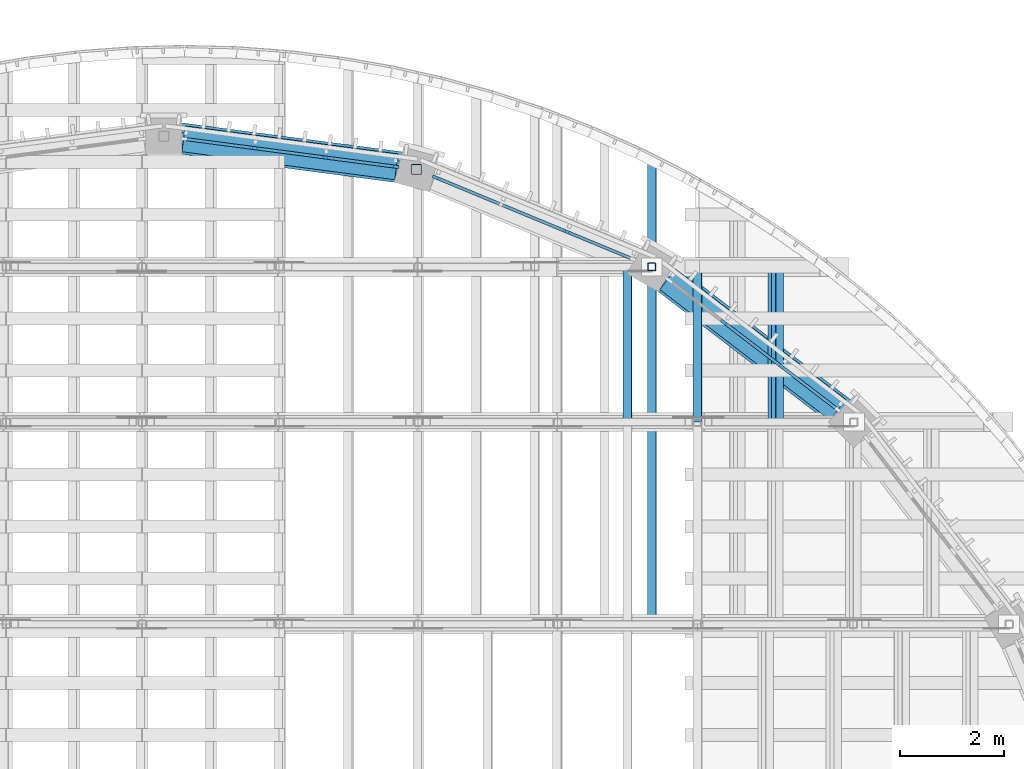
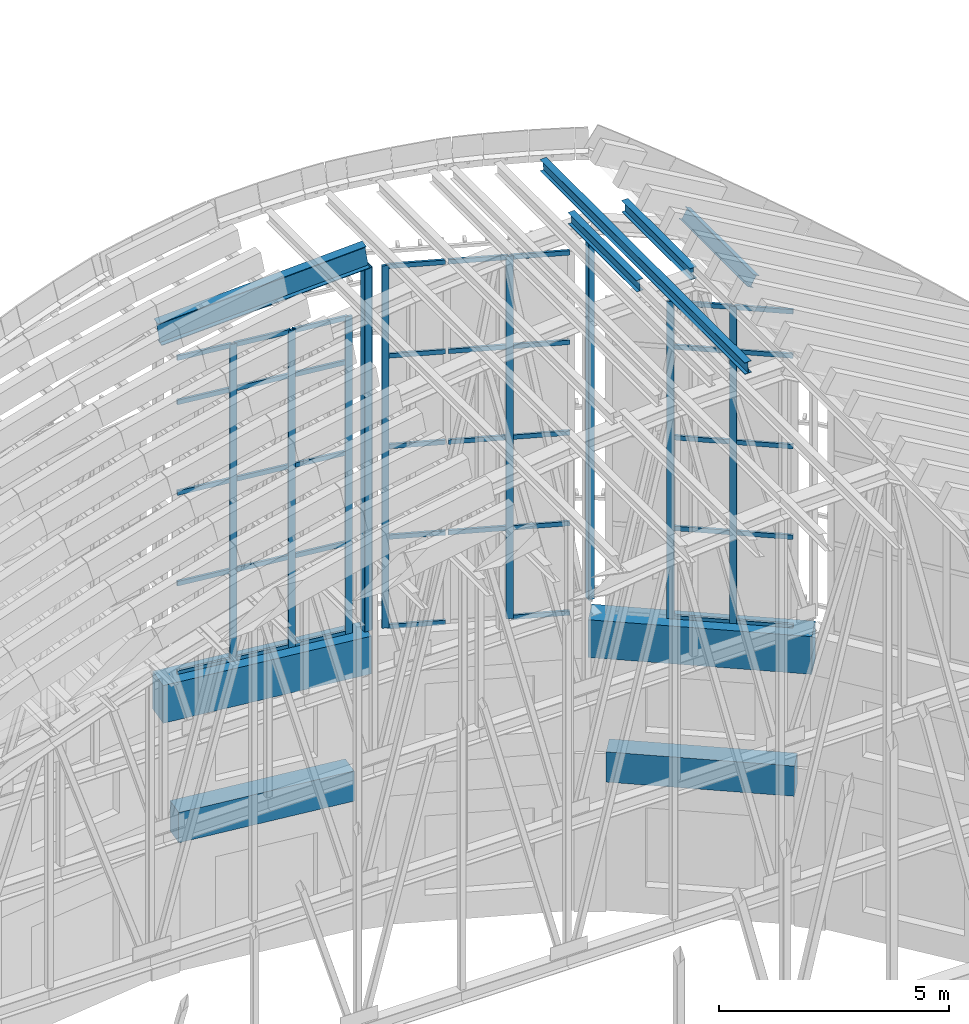
# One storey, part 34 of 105: 52 members, 5 beams, 3 elements without a shape of their own.
"""IFC4 building model written with IfcOpenShell, lengths in metres."""

import ifcopenshell
import ifcopenshell.guid

model = None  # the IFC model being written
_history = None  # IfcOwnerHistory: only IFC2X3 demands one
_inside = {}  # id of a spatial element -> (the spatial element, [elements in it])
_under = {}  # id of a project, library or spatial element -> (it, [spatial elements below it])
_declared = {}  # id of a project -> (the project, [libraries it declares])
_typed = {}  # id of a type object -> (the type object, [elements of that type])
_made_of = {}  # id of a material, layer set ... -> (it, [elements and type objects made of it])


def new_model(schema):
    """Start an empty IFC model of exactly this schema.

    Asked for "IFC4X3", IfcOpenShell would pick the latest addendum, in which some entities
    have other attributes; the version numbers below select the first issue.
    IFC2X3 requires an IfcOwnerHistory on every rooted entity: one is made here for all.
    """
    global model, _history
    if schema == "IFC4X3":
        model = ifcopenshell.file(schema_version=(4, 3, 0, 0))
    else:
        model = ifcopenshell.file(schema=schema)
    _inside.clear()
    _under.clear()
    _declared.clear()
    _typed.clear()
    _made_of.clear()
    _history = None
    if model.schema == "IFC2X3":
        org = make("IfcOrganization", Name="unknown")
        user = make(
            "IfcPersonAndOrganization",
            ThePerson=make("IfcPerson", FamilyName="unknown"),
            TheOrganization=org,
        )
        app = make(
            "IfcApplication",
            ApplicationDeveloper=org,
            Version="unknown",
            ApplicationFullName="unknown",
            ApplicationIdentifier="unknown",
        )
        _history = make(
            "IfcOwnerHistory",
            OwningUser=user,
            OwningApplication=app,
            ChangeAction="ADDED",
            CreationDate=0,
        )
    return model


def make(cls, **values):
    """One entity of the class cls with the attributes given. An attribute that is None is left unset."""
    return model.create_entity(
        cls, **{name: value for name, value in values.items() if value is not None}
    )


def rooted(cls, **values):
    """An entity with a GlobalId (a new one), such as an element, a storey or a relation."""
    return make(cls, GlobalId=ifcopenshell.guid.new(), OwnerHistory=_history, **values)


def si_unit(unit_type, name, prefix=None):
    """IfcSIUnit, for example si_unit("LENGTHUNIT", "METRE", prefix="MILLI")."""
    return make("IfcSIUnit", UnitType=unit_type, Prefix=prefix, Name=name)


def assignment(units):
    """IfcUnitAssignment: the units of a project."""
    return None if units is None else make("IfcUnitAssignment", Units=units)


def point(xyz):
    """IfcCartesianPoint."""
    return None if xyz is None else make("IfcCartesianPoint", Coordinates=xyz)


def direction(xyz):
    """IfcDirection."""
    return None if xyz is None else make("IfcDirection", DirectionRatios=xyz)


def frame(location, z_axis=None, x_axis=None):
    """IfcAxis2Placement3D, a coordinate frame: its origin and axes. An axis left out is left unset."""
    return make(
        "IfcAxis2Placement3D",
        Location=point(location),
        Axis=direction(z_axis),
        RefDirection=direction(x_axis),
    )


def frame_2d(location, x_axis=None):
    """IfcAxis2Placement2D, a coordinate frame in the plane: its origin and x axis."""
    return make(
        "IfcAxis2Placement2D", Location=point(location), RefDirection=direction(x_axis)
    )


def origin():
    """The frame at (0, 0, 0) with its axes left unset."""
    return frame((0.0, 0.0, 0.0))


def origin_2d():
    """The frame at (0, 0) in the plane with its x axis left unset."""
    return frame_2d((0.0, 0.0))


def place(relative_to, where):
    """IfcLocalPlacement: puts the frame where relative to a parent placement (None: the world)."""
    return make(
        "IfcLocalPlacement", PlacementRelTo=relative_to, RelativePlacement=where
    )


def context(
    kind, dimensions, precision=None, world=None, true_north=None, identifier=None
):
    """IfcGeometricRepresentationContext, for example the 3D "Model" context."""
    return make(
        "IfcGeometricRepresentationContext",
        ContextIdentifier=identifier,
        ContextType=kind,
        CoordinateSpaceDimension=dimensions,
        Precision=precision,
        WorldCoordinateSystem=world,
        TrueNorth=true_north,
    )


def subcontext(parent, identifier, kind, view, scale=None):
    """IfcGeometricRepresentationSubContext, for example "Body" below "Model"."""
    return make(
        "IfcGeometricRepresentationSubContext",
        ContextIdentifier=identifier,
        ContextType=kind,
        ParentContext=parent,
        TargetScale=scale,
        TargetView=view,
    )


def project(units=None, contexts=None):
    """IfcProject with its units and contexts."""
    return rooted(
        "IfcProject",
        Name="project",
        RepresentationContexts=contexts,
        UnitsInContext=assignment(units),
    )


def spatial(cls, under=None, at=None, **own):
    """A site, building, storey or space (cls), placed at a placement, below another one or the project."""
    s = rooted(cls, ObjectPlacement=at, **own)
    if under is not None:
        _under.setdefault(under.id(), (under, []))[1].append(s)
    return s


def profile(cls, at=None, kind="AREA", **sizes):
    """A parametric profile (cls). Its sizes go by their IFC names, for example OverallWidth=200.0."""
    return make(cls, ProfileType=kind, Position=at, **sizes)


def rectangle(**sizes):
    """IfcRectangleProfileDef."""
    return profile("IfcRectangleProfileDef", **sizes)


def hollow_rectangle(**sizes):
    """IfcRectangleHollowProfileDef."""
    return profile("IfcRectangleHollowProfileDef", **sizes)


def i_section(**sizes):
    """IfcIShapeProfileDef."""
    return profile("IfcIShapeProfileDef", **sizes)


def extrude(swept, where, along, depth):
    """IfcExtrudedAreaSolid: the profile swept, set in the frame where, extruded along a direction by depth."""
    return make(
        "IfcExtrudedAreaSolid",
        SweptArea=swept,
        Position=where,
        ExtrudedDirection=direction(along),
        Depth=depth,
    )


def shape(context_of_items, identifier, shape_type, items):
    """IfcShapeRepresentation: the items that make up one representation, for example the "Body"."""
    return make(
        "IfcShapeRepresentation",
        ContextOfItems=context_of_items,
        RepresentationIdentifier=identifier,
        RepresentationType=shape_type,
        Items=items,
    )


def material(Name=None, Category=None):
    """IfcMaterial."""
    return make("IfcMaterial", Name=Name, Category=Category)


def layer(
    of_material, thickness, ventilated=None, Name=None, Category=None, Priority=None
):
    """IfcMaterialLayer: one layer of a wall or slab, of a material (None: an air gap)."""
    return make(
        "IfcMaterialLayer",
        Material=of_material,
        LayerThickness=thickness,
        IsVentilated=ventilated,
        Name=Name,
        Category=Category,
        Priority=Priority,
    )


def layer_set(layers, Name=None):
    """IfcMaterialLayerSet."""
    return make("IfcMaterialLayerSet", MaterialLayers=layers, LayerSetName=Name)


def material_profile(
    of_material, cross_section, Name=None, Category=None, Priority=None
):
    """IfcMaterialProfile: a cross section and its material."""
    return make(
        "IfcMaterialProfile",
        Name=Name,
        Material=of_material,
        Profile=cross_section,
        Priority=Priority,
        Category=Category,
    )


def profile_set(profiles, Name=None, composite=None):
    """IfcMaterialProfileSet."""
    return make(
        "IfcMaterialProfileSet",
        Name=Name,
        MaterialProfiles=profiles,
        CompositeProfile=composite,
    )


def made_of(thing, what):
    """Note that an element or type object is made of a material, layer set ...; save() writes the relation."""
    if what is not None:
        _made_of.setdefault(what.id(), (what, []))[1].append(thing)
    return thing


def type_object(cls, material=None, **own):
    """A type object (cls), such as IfcWallType, which elements share."""
    return made_of(rooted(cls, **own), material)


def element(
    cls,
    number,
    at=None,
    inside=None,
    cuts=None,
    type_object=None,
    material=None,
    context=None,
    identifier="Body",
    shape_type=None,
    held_by="IfcProductDefinitionShape",
    body=None,
    shapes=None,
    **own,
):
    """One element of the class cls, such as IfcWall. Its Tag is "e" and its number.

    at: its placement. inside: the storey or other place that contains it. cuts: it is an
    opening in that element (IfcRelVoidsElement). A single representation is given by context,
    identifier, shape_type and body (its items); several are given by shapes. held_by: the class
    of the entity that holds the representations. save() writes the other relations.
    """
    e = rooted(cls, Tag="e%d" % number, ObjectPlacement=at, **own)
    if body is not None:
        shapes = [shape(context, identifier, shape_type, body)]
    if shapes is not None:
        e.Representation = make(held_by, Representations=shapes)
    if inside is not None:
        _inside.setdefault(inside.id(), (inside, []))[1].append(e)
    if cuts is not None:
        rooted(
            "IfcRelVoidsElement", RelatingBuildingElement=cuts, RelatedOpeningElement=e
        )
    if type_object is not None:
        _typed.setdefault(type_object.id(), (type_object, []))[1].append(e)
    return made_of(e, material)


def aggregate(whole, parts):
    """IfcRelAggregates: a whole, such as a stair, and the parts it consists of."""
    return rooted("IfcRelAggregates", RelatingObject=whole, RelatedObjects=parts)


def save(model, path):
    """Write the relations noted so far, then the file.

    IfcRelAggregates (storeys below a building ...), IfcRelContainedInSpatialStructure (elements
    in a storey), IfcRelDefinesByType, IfcRelAssociatesMaterial and IfcRelDeclares: one each for
    every whole, place, type object, material and project.
    """
    for whole, parts in _under.values():
        aggregate(whole, parts)
    for where, things in _inside.values():
        rooted(
            "IfcRelContainedInSpatialStructure",
            RelatedElements=things,
            RelatingStructure=where,
        )
    for kind, things in _typed.values():
        rooted("IfcRelDefinesByType", RelatedObjects=things, RelatingType=kind)
    for what, things in _made_of.values():
        rooted("IfcRelAssociatesMaterial", RelatedObjects=things, RelatingMaterial=what)
    for by, libraries in _declared.values():
        rooted("IfcRelDeclares", RelatingContext=by, RelatedDefinitions=libraries)
    model.write(path)


model = new_model("IFC4")

# Units and contexts
model_context = context("Model", 3, precision=1e-05, world=origin(), true_north=direction((0.0, 1.0)))
body_context = subcontext(model_context, "Body", "Model", "MODEL_VIEW")
ifc_project = project(units=[si_unit("LENGTHUNIT", "METRE"), si_unit("AREAUNIT", "SQUARE_METRE"), si_unit("VOLUMEUNIT", "CUBIC_METRE"), si_unit("PLANEANGLEUNIT", "RADIAN"), si_unit("MASSUNIT", "GRAM", prefix="KILO")], contexts=[model_context])

# Site, building, storey
site_placement = place(None, origin())
site = spatial("IfcSite", under=ifc_project, at=site_placement, CompositionType="ELEMENT")
building_placement = place(site_placement, origin())
building = spatial("IfcBuilding", under=site, at=building_placement, Name="Wasatch Bagh Community Centre", CompositionType="ELEMENT")
storey_placement = place(building_placement, frame((0.0, 0.0, 16.800048828125)))
storey = spatial("IfcBuildingStorey", under=building, at=storey_placement, Name="L04", CompositionType="ELEMENT", Elevation=16.800048828125)

# Members
ifc_material_1 = material(Name="ASTM A500 Grade C steel", Category="steel")
ifc_material_profile_1 = material_profile(ifc_material_1, hollow_rectangle(XDim=0.15234375, YDim=0.15234375, WallThickness=0.0087890625, InnerFilletRadius=0.0087890625, OuterFilletRadius=0.017822265625, at=origin_2d()), Name="HSS6x6x3/8")
ifc_profile_set_1 = profile_set([ifc_material_profile_1], Name="ASTM A500 Grade C steel")
member_type_1 = type_object("IfcMemberType", Name="HSS6x6x3/8 post", PredefinedType="POST", material=ifc_profile_set_1)
member_1_placement = place(storey_placement, frame((45.375, 81.238037109375, 8.070556640625), z_axis=(0.0, 0.0, 1.0), x_axis=(1.0, 0.0, 0.0)))
element("IfcMember", 1, at=member_1_placement, inside=storey, type_object=member_type_1, Name="MH.TN4.PS09", PredefinedType="POST", context=body_context, shape_type="SweptSolid", body=[
    extrude(hollow_rectangle(XDim=0.15234375, YDim=0.15234375, WallThickness=0.0087890625, InnerFilletRadius=0.0087890625, OuterFilletRadius=0.017822265625, at=origin_2d()), origin(), (0.0, 0.0, 1.0), 9.700439453125),
])
ifc_material_profile_2 = material_profile(ifc_material_1, hollow_rectangle(XDim=0.203125, YDim=0.203125, WallThickness=0.01171875, InnerFilletRadius=0.01171875, OuterFilletRadius=0.023681640625, at=origin_2d()), Name="HSS8x8x1/2")
ifc_profile_set_2 = profile_set([ifc_material_profile_2], Name="ASTM A500 Grade C steel")
member_type_2 = type_object("IfcMemberType", Name="HSS8x8x1/2 post", PredefinedType="POST", material=ifc_profile_set_2)
member_2_placement = place(storey_placement, frame((40.852783203125, 83.111083984375, 7.699951171875), z_axis=(0.0, 0.0, 1.0), x_axis=(1.0, 0.0, 0.0)))
element("IfcMember", 2, at=member_2_placement, inside=storey, type_object=member_type_2, Name="MH.TN.PS.N5", PredefinedType="POST", context=body_context, shape_type="SweptSolid", body=[
    extrude(hollow_rectangle(XDim=0.203125, YDim=0.203125, WallThickness=0.01171875, InnerFilletRadius=0.01171875, OuterFilletRadius=0.023681640625, at=origin_2d()), origin(), (0.0, 0.0, 1.0), 9.60791015625),
])

# Curtain wall, members
ifc_material_2 = material(Name="Aluminium curtain wall frame with low-iron glass", Category="aluminium")
ifc_layer_1 = layer(ifc_material_2, 0.10009765625)
ifc_layer_set_1 = layer_set([ifc_layer_1], Name="Aluminium curtain wall frame with low-iron glass")
curtain_wall_type_1 = type_object("IfcCurtainWallType", Name="MH end screen curtain wall 7", PredefinedType="NOTDEFINED", material=ifc_layer_set_1)
curtain_wall_1_placement = place(storey_placement, origin())
curtain_wall_1 = element("IfcCurtainWall", 3, at=curtain_wall_1_placement, inside=storey, type_object=curtain_wall_type_1, Name="End screen 22", PredefinedType="NOTDEFINED")
ifc_material_3 = material(Name="Aluminium extrusion", Category="aluminium")
ifc_material_profile_3 = material_profile(ifc_material_3, rectangle(XDim=0.06005859375, YDim=0.159912109375, at=origin_2d()), Name="AL 60x160")
ifc_profile_set_3 = profile_set([ifc_material_profile_3], Name="Aluminium extrusion")
member_type_3 = type_object("IfcMemberType", Name="MH end screen mullion 60x160", PredefinedType="MULLION", material=ifc_profile_set_3)
member_3_placement = place(storey_placement, frame((47.861572265625, 79.329833984375, 7.699951171875), z_axis=(0.0, 0.0, 1.0), x_axis=(-0.608761429036, -0.79335334027, 0.0)))
member_3 = element("IfcMember", 4, at=member_3_placement, type_object=member_type_3, Name="MH-CW7 mullion 2", PredefinedType="MULLION", context=body_context, shape_type="SweptSolid", body=[
    extrude(rectangle(XDim=0.06005859375, YDim=0.159912109375, at=origin_2d()), origin(), (0.0, 0.0, 1.0), 8.39990234375),
])
member_4_placement = place(storey_placement, frame((46.771728515625, 80.166259765625, 7.699951171875), z_axis=(0.0, 0.0, 1.0), x_axis=(-0.608761429036, -0.79335334027, 0.0)))
member_4 = element("IfcMember", 5, at=member_4_placement, type_object=member_type_3, Name="MH-CW7 mullion 3", PredefinedType="MULLION", context=body_context, shape_type="SweptSolid", body=[
    extrude(rectangle(XDim=0.06005859375, YDim=0.159912109375, at=origin_2d()), origin(), (0.0, 0.0, 1.0), 8.39990234375),
])

ifc_layer_2 = layer(ifc_material_2, 0.10009765625)
ifc_layer_set_2 = layer_set([ifc_layer_2], Name="Aluminium curtain wall frame with low-iron glass")
curtain_wall_type_2 = type_object("IfcCurtainWallType", Name="MH end screen curtain wall 8", PredefinedType="NOTDEFINED", material=ifc_layer_set_2)
curtain_wall_2_placement = place(storey_placement, origin())
curtain_wall_2 = element("IfcCurtainWall", 6, at=curtain_wall_2_placement, inside=storey, type_object=curtain_wall_type_2, Name="End screen 23", PredefinedType="NOTDEFINED")
member_5_placement = place(storey_placement, frame((43.74853515625, 81.91162109375, 7.699951171875), z_axis=(0.0, 0.0, 1.0), x_axis=(-0.382683432188, -0.923879532585, 0.0)))
member_5 = element("IfcMember", 7, at=member_5_placement, type_object=member_type_3, Name="MH-CW8 mullion 2", PredefinedType="MULLION", context=body_context, shape_type="SweptSolid", body=[
    extrude(rectangle(XDim=0.06005859375, YDim=0.159912109375, at=origin_2d()), origin(), (0.0, 0.0, 1.0), 9.60009765625),
])
member_6_placement = place(storey_placement, frame((41.237548828125, 82.95166015625, 7.699951171875), z_axis=(0.0, 0.0, 1.0), x_axis=(-0.382683432188, -0.923879532585, 0.0)))
member_6 = element("IfcMember", 8, at=member_6_placement, type_object=member_type_3, Name="MH-CW8 mullion 4", PredefinedType="MULLION", context=body_context, shape_type="SweptSolid", body=[
    extrude(rectangle(XDim=0.06005859375, YDim=0.159912109375, at=origin_2d()), origin(), (0.0, 0.0, 1.0), 9.60009765625),
])

curtain_wall_3_placement = place(storey_placement, origin())
curtain_wall_3 = element("IfcCurtainWall", 9, at=curtain_wall_3_placement, inside=storey, type_object=curtain_wall_type_1, Name="End screen 24", PredefinedType="NOTDEFINED")
member_7_placement = place(storey_placement, frame((40.43994140625, 83.16552734375, 7.699951171875), z_axis=(0.0, 0.0, 1.0), x_axis=(-0.13052619222, -0.991444861374, 0.0)))
member_7 = element("IfcMember", 10, at=member_7_placement, type_object=member_type_3, Name="MH-CW7 mullion 1", PredefinedType="MULLION", context=body_context, shape_type="SweptSolid", body=[
    extrude(rectangle(XDim=0.06005859375, YDim=0.159912109375, at=origin_2d()), origin(), (0.0, 0.0, 1.0), 8.39990234375),
])
member_8_placement = place(storey_placement, frame((39.107421875, 83.3408203125, 7.699951171875), z_axis=(0.0, 0.0, 1.0), x_axis=(-0.13052619222, -0.991444861374, 0.0)))
member_8 = element("IfcMember", 11, at=member_8_placement, type_object=member_type_3, Name="MH-CW7 mullion 2", PredefinedType="MULLION", context=body_context, shape_type="SweptSolid", body=[
    extrude(rectangle(XDim=0.06005859375, YDim=0.159912109375, at=origin_2d()), origin(), (0.0, 0.0, 1.0), 8.39990234375),
])
member_9_placement = place(storey_placement, frame((37.745361328125, 83.520263671875, 7.699951171875), z_axis=(0.0, 0.0, 1.0), x_axis=(-0.13052619222, -0.991444861374, 0.0)))
member_9 = element("IfcMember", 12, at=member_9_placement, type_object=member_type_3, Name="MH-CW7 mullion 3", PredefinedType="MULLION", context=body_context, shape_type="SweptSolid", body=[
    extrude(rectangle(XDim=0.06005859375, YDim=0.159912109375, at=origin_2d()), origin(), (0.0, 0.0, 1.0), 8.39990234375),
])

# Member
ifc_material_profile_4 = material_profile(ifc_material_3, rectangle(XDim=0.06005859375, YDim=0.1201171875, at=origin_2d()), Name="AL 60x120")
ifc_profile_set_4 = profile_set([ifc_material_profile_4], Name="Aluminium extrusion")
member_type_4 = type_object("IfcMemberType", Name="MH end screen transom 60x120", PredefinedType="USERDEFINED", material=ifc_profile_set_4)
member_10_placement = place(storey_placement, frame((48.904052734375, 78.530029296875, 7.72998046875), z_axis=(-0.793287968186, 0.608846614125, 0.0), x_axis=(-0.608846614125, -0.793287968186, 0.0)))
member_10 = element("IfcMember", 13, at=member_10_placement, type_object=member_type_4, Name="MH-CW7 transom 1.1", ObjectType="TRANSOM", PredefinedType="USERDEFINED", context=body_context, shape_type="SweptSolid", body=[
    extrude(rectangle(XDim=0.06005859375, YDim=0.1201171875, at=origin_2d()), origin(), (0.0, 0.0, 1.0), 1.283935546875),
])

member_11_placement = place(storey_placement, frame((48.904052734375, 78.530029296875, 10.099853515625), z_axis=(-0.793287968186, 0.608846614125, 0.0), x_axis=(-0.608846614125, -0.793287968186, 0.0)))
member_11 = element("IfcMember", 14, at=member_11_placement, type_object=member_type_4, Name="MH-CW7 transom 1.2", ObjectType="TRANSOM", PredefinedType="USERDEFINED", context=body_context, shape_type="SweptSolid", body=[
    extrude(rectangle(XDim=0.06005859375, YDim=0.1201171875, at=origin_2d()), origin(), (0.0, 0.0, 1.0), 1.283935546875),
])

member_12_placement = place(storey_placement, frame((48.904052734375, 78.530029296875, 12.5), z_axis=(-0.793287968186, 0.608846614125, 0.0), x_axis=(-0.608846614125, -0.793287968186, 0.0)))
member_12 = element("IfcMember", 15, at=member_12_placement, type_object=member_type_4, Name="MH-CW7 transom 1.3", ObjectType="TRANSOM", PredefinedType="USERDEFINED", context=body_context, shape_type="SweptSolid", body=[
    extrude(rectangle(XDim=0.06005859375, YDim=0.1201171875, at=origin_2d()), origin(), (0.0, 0.0, 1.0), 1.283935546875),
])

member_13_placement = place(storey_placement, frame((48.904052734375, 78.530029296875, 14.89990234375), z_axis=(-0.793287968186, 0.608846614125, 0.0), x_axis=(-0.608846614125, -0.793287968186, 0.0)))
member_13 = element("IfcMember", 16, at=member_13_placement, type_object=member_type_4, Name="MH-CW7 transom 1.4", ObjectType="TRANSOM", PredefinedType="USERDEFINED", context=body_context, shape_type="SweptSolid", body=[
    extrude(rectangle(XDim=0.06005859375, YDim=0.1201171875, at=origin_2d()), origin(), (0.0, 0.0, 1.0), 1.283935546875),
])

member_14_placement = place(storey_placement, frame((48.904052734375, 78.530029296875, 16.070068359375), z_axis=(-0.793287968186, 0.608846614125, 0.0), x_axis=(-0.608846614125, -0.793287968186, 0.0)))
member_14 = element("IfcMember", 17, at=member_14_placement, type_object=member_type_4, Name="MH-CW7 transom 1.5", ObjectType="TRANSOM", PredefinedType="USERDEFINED", context=body_context, shape_type="SweptSolid", body=[
    extrude(rectangle(XDim=0.06005859375, YDim=0.1201171875, at=origin_2d()), origin(), (0.0, 0.0, 1.0), 1.283935546875),
])

member_15_placement = place(storey_placement, frame((47.837890625, 79.34814453125, 7.72998046875), z_axis=(-0.793396972345, 0.608704562389, 0.0), x_axis=(-0.608704562389, -0.793396972345, 0.0)))
member_15 = element("IfcMember", 18, at=member_15_placement, type_object=member_type_4, Name="MH-CW7 transom 2.1", ObjectType="TRANSOM", PredefinedType="USERDEFINED", context=body_context, shape_type="SweptSolid", body=[
    extrude(rectangle(XDim=0.06005859375, YDim=0.1201171875, at=origin_2d()), origin(), (0.0, 0.0, 1.0), 1.31396484375),
])

member_16_placement = place(storey_placement, frame((47.837890625, 79.34814453125, 10.099853515625), z_axis=(-0.793396972345, 0.608704562389, 0.0), x_axis=(-0.608704562389, -0.793396972345, 0.0)))
member_16 = element("IfcMember", 19, at=member_16_placement, type_object=member_type_4, Name="MH-CW7 transom 2.2", ObjectType="TRANSOM", PredefinedType="USERDEFINED", context=body_context, shape_type="SweptSolid", body=[
    extrude(rectangle(XDim=0.06005859375, YDim=0.1201171875, at=origin_2d()), origin(), (0.0, 0.0, 1.0), 1.31396484375),
])

member_17_placement = place(storey_placement, frame((47.837890625, 79.34814453125, 12.5), z_axis=(-0.793396972345, 0.608704562389, 0.0), x_axis=(-0.608704562389, -0.793396972345, 0.0)))
member_17 = element("IfcMember", 20, at=member_17_placement, type_object=member_type_4, Name="MH-CW7 transom 2.3", ObjectType="TRANSOM", PredefinedType="USERDEFINED", context=body_context, shape_type="SweptSolid", body=[
    extrude(rectangle(XDim=0.06005859375, YDim=0.1201171875, at=origin_2d()), origin(), (0.0, 0.0, 1.0), 1.31396484375),
])

member_18_placement = place(storey_placement, frame((47.837890625, 79.34814453125, 14.89990234375), z_axis=(-0.793396972345, 0.608704562389, 0.0), x_axis=(-0.608704562389, -0.793396972345, 0.0)))
member_18 = element("IfcMember", 21, at=member_18_placement, type_object=member_type_4, Name="MH-CW7 transom 2.4", ObjectType="TRANSOM", PredefinedType="USERDEFINED", context=body_context, shape_type="SweptSolid", body=[
    extrude(rectangle(XDim=0.06005859375, YDim=0.1201171875, at=origin_2d()), origin(), (0.0, 0.0, 1.0), 1.31396484375),
])

member_19_placement = place(storey_placement, frame((47.837890625, 79.34814453125, 16.070068359375), z_axis=(-0.793396972345, 0.608704562389, 0.0), x_axis=(-0.608704562389, -0.793396972345, 0.0)))
member_19 = element("IfcMember", 22, at=member_19_placement, type_object=member_type_4, Name="MH-CW7 transom 2.5", ObjectType="TRANSOM", PredefinedType="USERDEFINED", context=body_context, shape_type="SweptSolid", body=[
    extrude(rectangle(XDim=0.06005859375, YDim=0.1201171875, at=origin_2d()), origin(), (0.0, 0.0, 1.0), 1.31396484375),
])

aggregate(curtain_wall_1, [member_3, member_4, member_10, member_11, member_12, member_13, member_14, member_15, member_16, member_17, member_18, member_19])

member_20_placement = place(storey_placement, frame((44.962646484375, 81.408935546875, 7.72998046875), z_axis=(-0.923924144834, 0.382575710929, 0.0), x_axis=(-0.382575710929, -0.923924144834, 0.0)))
member_20 = element("IfcMember", 23, at=member_20_placement, type_object=member_type_4, Name="MH-CW8 transom 1.1", ObjectType="TRANSOM", PredefinedType="USERDEFINED", context=body_context, shape_type="SweptSolid", body=[
    extrude(rectangle(XDim=0.06005859375, YDim=0.1201171875, at=origin_2d()), origin(), (0.0, 0.0, 1.0), 1.283935546875),
])

member_21_placement = place(storey_placement, frame((44.962646484375, 81.408935546875, 10.099853515625), z_axis=(-0.923924144834, 0.382575710929, 0.0), x_axis=(-0.382575710929, -0.923924144834, 0.0)))
member_21 = element("IfcMember", 24, at=member_21_placement, type_object=member_type_4, Name="MH-CW8 transom 1.2", ObjectType="TRANSOM", PredefinedType="USERDEFINED", context=body_context, shape_type="SweptSolid", body=[
    extrude(rectangle(XDim=0.06005859375, YDim=0.1201171875, at=origin_2d()), origin(), (0.0, 0.0, 1.0), 1.283935546875),
])

member_22_placement = place(storey_placement, frame((44.962646484375, 81.408935546875, 12.5), z_axis=(-0.923924144834, 0.382575710929, 0.0), x_axis=(-0.382575710929, -0.923924144834, 0.0)))
member_22 = element("IfcMember", 25, at=member_22_placement, type_object=member_type_4, Name="MH-CW8 transom 1.3", ObjectType="TRANSOM", PredefinedType="USERDEFINED", context=body_context, shape_type="SweptSolid", body=[
    extrude(rectangle(XDim=0.06005859375, YDim=0.1201171875, at=origin_2d()), origin(), (0.0, 0.0, 1.0), 1.283935546875),
])

member_23_placement = place(storey_placement, frame((44.962646484375, 81.408935546875, 14.89990234375), z_axis=(-0.923924144834, 0.382575710929, 0.0), x_axis=(-0.382575710929, -0.923924144834, 0.0)))
member_23 = element("IfcMember", 26, at=member_23_placement, type_object=member_type_4, Name="MH-CW8 transom 1.4", ObjectType="TRANSOM", PredefinedType="USERDEFINED", context=body_context, shape_type="SweptSolid", body=[
    extrude(rectangle(XDim=0.06005859375, YDim=0.1201171875, at=origin_2d()), origin(), (0.0, 0.0, 1.0), 1.283935546875),
])

member_24_placement = place(storey_placement, frame((44.962646484375, 81.408935546875, 17.27001953125), z_axis=(-0.923924144834, 0.382575710929, 0.0), x_axis=(-0.382575710929, -0.923924144834, 0.0)))
member_24 = element("IfcMember", 27, at=member_24_placement, type_object=member_type_4, Name="MH-CW8 transom 1.5", ObjectType="TRANSOM", PredefinedType="USERDEFINED", context=body_context, shape_type="SweptSolid", body=[
    extrude(rectangle(XDim=0.06005859375, YDim=0.1201171875, at=origin_2d()), origin(), (0.0, 0.0, 1.0), 1.283935546875),
])

member_25_placement = place(storey_placement, frame((43.720947265625, 81.923095703125, 10.099853515625), z_axis=(-0.923844700065, 0.382767514508, 0.0), x_axis=(-0.382767514508, -0.923844700065, 0.0)))
member_25 = element("IfcMember", 28, at=member_25_placement, type_object=member_type_4, Name="MH-CW8 transom 2.2", ObjectType="TRANSOM", PredefinedType="USERDEFINED", context=body_context, shape_type="SweptSolid", body=[
    extrude(rectangle(XDim=0.06005859375, YDim=0.1201171875, at=origin_2d()), origin(), (0.0, 0.0, 1.0), 1.31396484375),
])

member_26_placement = place(storey_placement, frame((43.720947265625, 81.923095703125, 12.5), z_axis=(-0.923844700065, 0.382767514508, 0.0), x_axis=(-0.382767514508, -0.923844700065, 0.0)))
member_26 = element("IfcMember", 29, at=member_26_placement, type_object=member_type_4, Name="MH-CW8 transom 2.3", ObjectType="TRANSOM", PredefinedType="USERDEFINED", context=body_context, shape_type="SweptSolid", body=[
    extrude(rectangle(XDim=0.06005859375, YDim=0.1201171875, at=origin_2d()), origin(), (0.0, 0.0, 1.0), 1.31396484375),
])

member_27_placement = place(storey_placement, frame((43.720947265625, 81.923095703125, 14.89990234375), z_axis=(-0.923844700065, 0.382767514508, 0.0), x_axis=(-0.382767514508, -0.923844700065, 0.0)))
member_27 = element("IfcMember", 30, at=member_27_placement, type_object=member_type_4, Name="MH-CW8 transom 2.4", ObjectType="TRANSOM", PredefinedType="USERDEFINED", context=body_context, shape_type="SweptSolid", body=[
    extrude(rectangle(XDim=0.06005859375, YDim=0.1201171875, at=origin_2d()), origin(), (0.0, 0.0, 1.0), 1.31396484375),
])

member_28_placement = place(storey_placement, frame((43.720947265625, 81.923095703125, 17.27001953125), z_axis=(-0.923844700065, 0.382767514508, 0.0), x_axis=(-0.382767514508, -0.923844700065, 0.0)))
member_28 = element("IfcMember", 31, at=member_28_placement, type_object=member_type_4, Name="MH-CW8 transom 2.5", ObjectType="TRANSOM", PredefinedType="USERDEFINED", context=body_context, shape_type="SweptSolid", body=[
    extrude(rectangle(XDim=0.06005859375, YDim=0.1201171875, at=origin_2d()), origin(), (0.0, 0.0, 1.0), 1.31396484375),
])

member_29_placement = place(storey_placement, frame((42.451416015625, 82.448974609375, 7.72998046875), z_axis=(-0.923896306793, 0.382642933155, 0.0), x_axis=(-0.382642933155, -0.923896306793, 0.0)))
member_29 = element("IfcMember", 32, at=member_29_placement, type_object=member_type_4, Name="MH-CW8 transom 3.1", ObjectType="TRANSOM", PredefinedType="USERDEFINED", context=body_context, shape_type="SweptSolid", body=[
    extrude(rectangle(XDim=0.06005859375, YDim=0.1201171875, at=origin_2d()), origin(), (0.0, 0.0, 1.0), 1.28369140625),
])

member_30_placement = place(storey_placement, frame((42.451416015625, 82.448974609375, 10.099853515625), z_axis=(-0.923896306793, 0.382642933155, 0.0), x_axis=(-0.382642933155, -0.923896306793, 0.0)))
member_30 = element("IfcMember", 33, at=member_30_placement, type_object=member_type_4, Name="MH-CW8 transom 3.2", ObjectType="TRANSOM", PredefinedType="USERDEFINED", context=body_context, shape_type="SweptSolid", body=[
    extrude(rectangle(XDim=0.06005859375, YDim=0.1201171875, at=origin_2d()), origin(), (0.0, 0.0, 1.0), 1.28369140625),
])

member_31_placement = place(storey_placement, frame((42.451416015625, 82.448974609375, 12.5), z_axis=(-0.923896306793, 0.382642933155, 0.0), x_axis=(-0.382642933155, -0.923896306793, 0.0)))
member_31 = element("IfcMember", 34, at=member_31_placement, type_object=member_type_4, Name="MH-CW8 transom 3.3", ObjectType="TRANSOM", PredefinedType="USERDEFINED", context=body_context, shape_type="SweptSolid", body=[
    extrude(rectangle(XDim=0.06005859375, YDim=0.1201171875, at=origin_2d()), origin(), (0.0, 0.0, 1.0), 1.28369140625),
])

member_32_placement = place(storey_placement, frame((42.451416015625, 82.448974609375, 14.89990234375), z_axis=(-0.923896306793, 0.382642933155, 0.0), x_axis=(-0.382642933155, -0.923896306793, 0.0)))
member_32 = element("IfcMember", 35, at=member_32_placement, type_object=member_type_4, Name="MH-CW8 transom 3.4", ObjectType="TRANSOM", PredefinedType="USERDEFINED", context=body_context, shape_type="SweptSolid", body=[
    extrude(rectangle(XDim=0.06005859375, YDim=0.1201171875, at=origin_2d()), origin(), (0.0, 0.0, 1.0), 1.28369140625),
])

member_33_placement = place(storey_placement, frame((42.451416015625, 82.448974609375, 17.27001953125), z_axis=(-0.923896306793, 0.382642933155, 0.0), x_axis=(-0.382642933155, -0.923896306793, 0.0)))
member_33 = element("IfcMember", 36, at=member_33_placement, type_object=member_type_4, Name="MH-CW8 transom 3.5", ObjectType="TRANSOM", PredefinedType="USERDEFINED", context=body_context, shape_type="SweptSolid", body=[
    extrude(rectangle(XDim=0.06005859375, YDim=0.1201171875, at=origin_2d()), origin(), (0.0, 0.0, 1.0), 1.28369140625),
])

aggregate(curtain_wall_2, [member_5, member_6, member_20, member_21, member_22, member_23, member_24, member_25, member_26, member_27, member_28, member_29, member_30, member_31, member_32, member_33])

member_34_placement = place(storey_placement, frame((40.41015625, 83.16943359375, 7.72998046875), z_axis=(-0.991455589929, 0.130444674855, 0.0), x_axis=(-0.130444674855, -0.991455589929, 0.0)))
member_34 = element("IfcMember", 37, at=member_34_placement, type_object=member_type_4, Name="MH-CW7 transom 1.1", ObjectType="TRANSOM", PredefinedType="USERDEFINED", context=body_context, shape_type="SweptSolid", body=[
    extrude(rectangle(XDim=0.06005859375, YDim=0.1201171875, at=origin_2d()), origin(), (0.0, 0.0, 1.0), 1.283935546875),
])

member_35_placement = place(storey_placement, frame((40.41015625, 83.16943359375, 10.099853515625), z_axis=(-0.991455589929, 0.130444674855, 0.0), x_axis=(-0.130444674855, -0.991455589929, 0.0)))
member_35 = element("IfcMember", 38, at=member_35_placement, type_object=member_type_4, Name="MH-CW7 transom 1.2", ObjectType="TRANSOM", PredefinedType="USERDEFINED", context=body_context, shape_type="SweptSolid", body=[
    extrude(rectangle(XDim=0.06005859375, YDim=0.1201171875, at=origin_2d()), origin(), (0.0, 0.0, 1.0), 1.283935546875),
])

member_36_placement = place(storey_placement, frame((40.41015625, 83.16943359375, 12.5), z_axis=(-0.991455589929, 0.130444674855, 0.0), x_axis=(-0.130444674855, -0.991455589929, 0.0)))
member_36 = element("IfcMember", 39, at=member_36_placement, type_object=member_type_4, Name="MH-CW7 transom 1.3", ObjectType="TRANSOM", PredefinedType="USERDEFINED", context=body_context, shape_type="SweptSolid", body=[
    extrude(rectangle(XDim=0.06005859375, YDim=0.1201171875, at=origin_2d()), origin(), (0.0, 0.0, 1.0), 1.283935546875),
])

member_37_placement = place(storey_placement, frame((40.41015625, 83.16943359375, 14.89990234375), z_axis=(-0.991455589929, 0.130444674855, 0.0), x_axis=(-0.130444674855, -0.991455589929, 0.0)))
member_37 = element("IfcMember", 40, at=member_37_placement, type_object=member_type_4, Name="MH-CW7 transom 1.4", ObjectType="TRANSOM", PredefinedType="USERDEFINED", context=body_context, shape_type="SweptSolid", body=[
    extrude(rectangle(XDim=0.06005859375, YDim=0.1201171875, at=origin_2d()), origin(), (0.0, 0.0, 1.0), 1.283935546875),
])

member_38_placement = place(storey_placement, frame((40.41015625, 83.16943359375, 16.070068359375), z_axis=(-0.991455589929, 0.130444674855, 0.0), x_axis=(-0.130444674855, -0.991455589929, 0.0)))
member_38 = element("IfcMember", 41, at=member_38_placement, type_object=member_type_4, Name="MH-CW7 transom 1.5", ObjectType="TRANSOM", PredefinedType="USERDEFINED", context=body_context, shape_type="SweptSolid", body=[
    extrude(rectangle(XDim=0.06005859375, YDim=0.1201171875, at=origin_2d()), origin(), (0.0, 0.0, 1.0), 1.283935546875),
])

member_39_placement = place(storey_placement, frame((39.077880859375, 83.3447265625, 7.72998046875), z_axis=(-0.991432780287, 0.130617924389, 0.0), x_axis=(-0.130617924389, -0.991432780287, 0.0)))
member_39 = element("IfcMember", 42, at=member_39_placement, type_object=member_type_4, Name="MH-CW7 transom 2.1", ObjectType="TRANSOM", PredefinedType="USERDEFINED", context=body_context, shape_type="SweptSolid", body=[
    extrude(rectangle(XDim=0.06005859375, YDim=0.1201171875, at=origin_2d()), origin(), (0.0, 0.0, 1.0), 1.31396484375),
])

member_40_placement = place(storey_placement, frame((39.077880859375, 83.3447265625, 10.099853515625), z_axis=(-0.991432780287, 0.130617924389, 0.0), x_axis=(-0.130617924389, -0.991432780287, 0.0)))
member_40 = element("IfcMember", 43, at=member_40_placement, type_object=member_type_4, Name="MH-CW7 transom 2.2", ObjectType="TRANSOM", PredefinedType="USERDEFINED", context=body_context, shape_type="SweptSolid", body=[
    extrude(rectangle(XDim=0.06005859375, YDim=0.1201171875, at=origin_2d()), origin(), (0.0, 0.0, 1.0), 1.31396484375),
])

member_41_placement = place(storey_placement, frame((39.077880859375, 83.3447265625, 12.5), z_axis=(-0.991432780287, 0.130617924389, 0.0), x_axis=(-0.130617924389, -0.991432780287, 0.0)))
member_41 = element("IfcMember", 44, at=member_41_placement, type_object=member_type_4, Name="MH-CW7 transom 2.3", ObjectType="TRANSOM", PredefinedType="USERDEFINED", context=body_context, shape_type="SweptSolid", body=[
    extrude(rectangle(XDim=0.06005859375, YDim=0.1201171875, at=origin_2d()), origin(), (0.0, 0.0, 1.0), 1.31396484375),
])

member_42_placement = place(storey_placement, frame((39.077880859375, 83.3447265625, 14.89990234375), z_axis=(-0.991432780287, 0.130617924389, 0.0), x_axis=(-0.130617924389, -0.991432780287, 0.0)))
member_42 = element("IfcMember", 45, at=member_42_placement, type_object=member_type_4, Name="MH-CW7 transom 2.4", ObjectType="TRANSOM", PredefinedType="USERDEFINED", context=body_context, shape_type="SweptSolid", body=[
    extrude(rectangle(XDim=0.06005859375, YDim=0.1201171875, at=origin_2d()), origin(), (0.0, 0.0, 1.0), 1.31396484375),
])

member_43_placement = place(storey_placement, frame((39.077880859375, 83.3447265625, 16.070068359375), z_axis=(-0.991432780287, 0.130617924389, 0.0), x_axis=(-0.130617924389, -0.991432780287, 0.0)))
member_43 = element("IfcMember", 46, at=member_43_placement, type_object=member_type_4, Name="MH-CW7 transom 2.5", ObjectType="TRANSOM", PredefinedType="USERDEFINED", context=body_context, shape_type="SweptSolid", body=[
    extrude(rectangle(XDim=0.06005859375, YDim=0.1201171875, at=origin_2d()), origin(), (0.0, 0.0, 1.0), 1.31396484375),
])

member_44_placement = place(storey_placement, frame((37.715576171875, 83.524169921875, 7.72998046875), z_axis=(-0.991455589929, 0.130444674855, 0.0), x_axis=(-0.130444674855, -0.991455589929, 0.0)))
member_44 = element("IfcMember", 47, at=member_44_placement, type_object=member_type_4, Name="MH-CW7 transom 3.1", ObjectType="TRANSOM", PredefinedType="USERDEFINED", context=body_context, shape_type="SweptSolid", body=[
    extrude(rectangle(XDim=0.06005859375, YDim=0.1201171875, at=origin_2d()), origin(), (0.0, 0.0, 1.0), 1.283935546875),
])

member_45_placement = place(storey_placement, frame((37.715576171875, 83.524169921875, 10.099853515625), z_axis=(-0.991455589929, 0.130444674855, 0.0), x_axis=(-0.130444674855, -0.991455589929, 0.0)))
member_45 = element("IfcMember", 48, at=member_45_placement, type_object=member_type_4, Name="MH-CW7 transom 3.2", ObjectType="TRANSOM", PredefinedType="USERDEFINED", context=body_context, shape_type="SweptSolid", body=[
    extrude(rectangle(XDim=0.06005859375, YDim=0.1201171875, at=origin_2d()), origin(), (0.0, 0.0, 1.0), 1.283935546875),
])

member_46_placement = place(storey_placement, frame((37.715576171875, 83.524169921875, 12.5), z_axis=(-0.991455589929, 0.130444674855, 0.0), x_axis=(-0.130444674855, -0.991455589929, 0.0)))
member_46 = element("IfcMember", 49, at=member_46_placement, type_object=member_type_4, Name="MH-CW7 transom 3.3", ObjectType="TRANSOM", PredefinedType="USERDEFINED", context=body_context, shape_type="SweptSolid", body=[
    extrude(rectangle(XDim=0.06005859375, YDim=0.1201171875, at=origin_2d()), origin(), (0.0, 0.0, 1.0), 1.283935546875),
])

member_47_placement = place(storey_placement, frame((37.715576171875, 83.524169921875, 14.89990234375), z_axis=(-0.991455589929, 0.130444674855, 0.0), x_axis=(-0.130444674855, -0.991455589929, 0.0)))
member_47 = element("IfcMember", 50, at=member_47_placement, type_object=member_type_4, Name="MH-CW7 transom 3.4", ObjectType="TRANSOM", PredefinedType="USERDEFINED", context=body_context, shape_type="SweptSolid", body=[
    extrude(rectangle(XDim=0.06005859375, YDim=0.1201171875, at=origin_2d()), origin(), (0.0, 0.0, 1.0), 1.283935546875),
])

member_48_placement = place(storey_placement, frame((37.715576171875, 83.524169921875, 16.070068359375), z_axis=(-0.991455589929, 0.130444674855, 0.0), x_axis=(-0.130444674855, -0.991455589929, 0.0)))
member_48 = element("IfcMember", 51, at=member_48_placement, type_object=member_type_4, Name="MH-CW7 transom 3.5", ObjectType="TRANSOM", PredefinedType="USERDEFINED", context=body_context, shape_type="SweptSolid", body=[
    extrude(rectangle(XDim=0.06005859375, YDim=0.1201171875, at=origin_2d()), origin(), (0.0, 0.0, 1.0), 1.283935546875),
])

aggregate(curtain_wall_3, [member_7, member_8, member_9, member_34, member_35, member_36, member_37, member_38, member_39, member_40, member_41, member_42, member_43, member_44, member_45, member_46, member_47, member_48])

# Beams
ifc_material_4 = material(Name="ASTM A992 Grade 50 steel", Category="steel")
ifc_material_profile_5 = material_profile(ifc_material_4, i_section(OverallWidth=0.228271484375, OverallDepth=0.607177734375, WebThickness=0.01123046875, FlangeThickness=0.017333984375, at=origin_2d()), Name="W24x76")
ifc_profile_set_5 = profile_set([ifc_material_profile_5], Name="ASTM A992 Grade 50 steel")
beam_type_1 = type_object("IfcBeamType", Name="MH girder W24x76", PredefinedType="BEAM", material=ifc_profile_set_5)
beam_placement = place(storey_placement, frame((40.852783203125, 83.111083984375, 17.6142578125), z_axis=(-0.980071745414, 0.129035959035, -0.151026802646), x_axis=(-0.130533218363, -0.991443936339, 0.0)))
element("IfcBeam", 52, at=beam_placement, inside=storey, type_object=beam_type_1, Name="MH.TN.GD1", PredefinedType="BEAM", context=body_context, shape_type="SweptSolid", body=[
    extrude(i_section(OverallWidth=0.228271484375, OverallDepth=0.607177734375, WebThickness=0.01123046875, FlangeThickness=0.017333984375, at=origin_2d()), origin(), (0.0, 0.0, 1.0), 4.951416015625),
])
ifc_material_5 = material(Name="Concrete C35", Category="concrete")
ifc_material_profile_6 = material_profile(ifc_material_5, rectangle(XDim=0.5, YDim=0.800048828125, at=origin_2d()), Name="RC 500x800")
ifc_profile_set_6 = profile_set([ifc_material_profile_6], Name="Concrete C35")
beam_type_2 = type_object("IfcBeamType", Name="MH ring beam RC 500x800", PredefinedType="BEAM", material=ifc_profile_set_6)
for number, where, z_axis, x_axis, name in (
    (53, (48.95166015625, 78.493408203125, 3.800048828125), (-0.793341258985, 0.60877717335, 0.0), (-0.60877717335, -0.793341258985, 0.0), "Ring beam 21.0 N3-N4"),
    (54, (40.4697265625, 83.16162109375, 3.800048828125), (-0.991450464722, 0.130483623501, 0.0), (-0.130483623501, -0.991450464722, 0.0), "Ring beam 21.0 N5-N6"),
):
    element("IfcBeam", number, at=place(storey_placement, frame(where, z_axis=z_axis, x_axis=x_axis)), inside=storey, type_object=beam_type_2, Name=name, PredefinedType="BEAM", context=body_context, shape_type="SweptSolid", body=[
        extrude(rectangle(XDim=0.5, YDim=0.800048828125, at=origin_2d()), origin(), (0.0, 0.0, 1.0), 4.121826171875),
    ])
ifc_material_profile_7 = material_profile(ifc_material_5, rectangle(XDim=0.60009765625, YDim=1.0, at=origin_2d()), Name="RC 600x1000")
ifc_profile_set_7 = profile_set([ifc_material_profile_7], Name="Concrete C35")
beam_type_3 = type_object("IfcBeamType", Name="MH ring beam RC 600x1000", PredefinedType="BEAM", material=ifc_profile_set_7)
for number, where, z_axis, x_axis, name in (
    (55, (49.25830078125, 78.25830078125, 7.199951171875), (-0.793355823169, 0.608758193246, 0.0), (-0.608758193246, -0.793355823169, 0.0), "Ring beam 24.5 N3-N4"),
    (56, (40.852783203125, 83.111083984375, 7.199951171875), (-0.991443936339, 0.130533218363, 0.0), (-0.130533218363, -0.991443936339, 0.0), "Ring beam 24.5 N5-N6"),
):
    element("IfcBeam", number, at=place(storey_placement, frame(where, z_axis=z_axis, x_axis=x_axis)), inside=storey, type_object=beam_type_3, Name=name, PredefinedType="BEAM", context=body_context, shape_type="SweptSolid", body=[
        extrude(rectangle(XDim=0.60009765625, YDim=1.0, at=origin_2d()), origin(), (0.0, 0.0, 1.0), 4.894775390625),
    ])

# Members
ifc_material_profile_8 = material_profile(ifc_material_4, i_section(OverallWidth=0.164794921875, OverallDepth=0.309814453125, WebThickness=0.005859375, FlangeThickness=0.009765625, at=origin_2d()), Name="W12x26")
ifc_profile_set_8 = profile_set([ifc_material_profile_8], Name="ASTM A992 Grade 50 steel")
member_type_5 = type_object("IfcMemberType", Name="W12x26 purlin", PredefinedType="PURLIN", material=ifc_profile_set_8)
for number, where, z_axis, x_axis, name in (
    (57, (44.907958984375, 78.25830078125, 18.3203125), (0.0, 1.0, 0.0), (-0.999666689368, 0.0, -0.025816858198), "MH.TN3-TN4.PU17"),
    (58, (46.25, 78.25830078125, 18.167724609375), (0.0, 1.0, 0.0), (-0.999666689368, 0.0, -0.025816858198), "MH.TN3-TN4.PU18"),
    (59, (47.754150390625, 78.25830078125, 17.431884765625), (0.0, 1.0, 0.0), (-0.866025403784, 0.0, 0.5), "MH.TN3-TN4.PU19"),
):
    element("IfcMember", number, at=place(storey_placement, frame(where, z_axis=z_axis, x_axis=x_axis)), inside=storey, type_object=member_type_5, Name=name, PredefinedType="PURLIN", context=body_context, shape_type="SweptSolid", body=[
        extrude(i_section(OverallWidth=0.164794921875, OverallDepth=0.309814453125, WebThickness=0.005859375, FlangeThickness=0.009765625, at=origin_2d()), origin(), (0.0, 0.0, 1.0), 2.979736328125),
    ])
ifc_material_profile_9 = material_profile(ifc_material_4, i_section(OverallWidth=0.164794921875, OverallDepth=0.309814453125, WebThickness=0.005859375, FlangeThickness=0.009765625, at=origin_2d()), Name="W12x26")
ifc_profile_set_9 = profile_set([ifc_material_profile_9], Name="ASTM A992 Grade 50 steel")
member_type_6 = type_object("IfcMemberType", Name="W12x26 rafter", PredefinedType="RAFTER", material=ifc_profile_set_9)
member_49_placement = place(storey_placement, frame((45.375, 83.263916015625, 18.33203125), z_axis=(0.0, -1.0, 0.0), x_axis=(0.999666689532, 0.0, 0.025816851865)))
element("IfcMember", 60, at=member_49_placement, inside=storey, type_object=member_type_6, Name="MH.TN.RF19", PredefinedType="RAFTER", context=body_context, shape_type="SweptSolid", body=[
    extrude(i_section(OverallWidth=0.164794921875, OverallDepth=0.309814453125, WebThickness=0.005859375, FlangeThickness=0.009765625, at=origin_2d()), origin(), (0.0, 0.0, 1.0), 8.888916015625),
])

save(model, "model.ifc")
